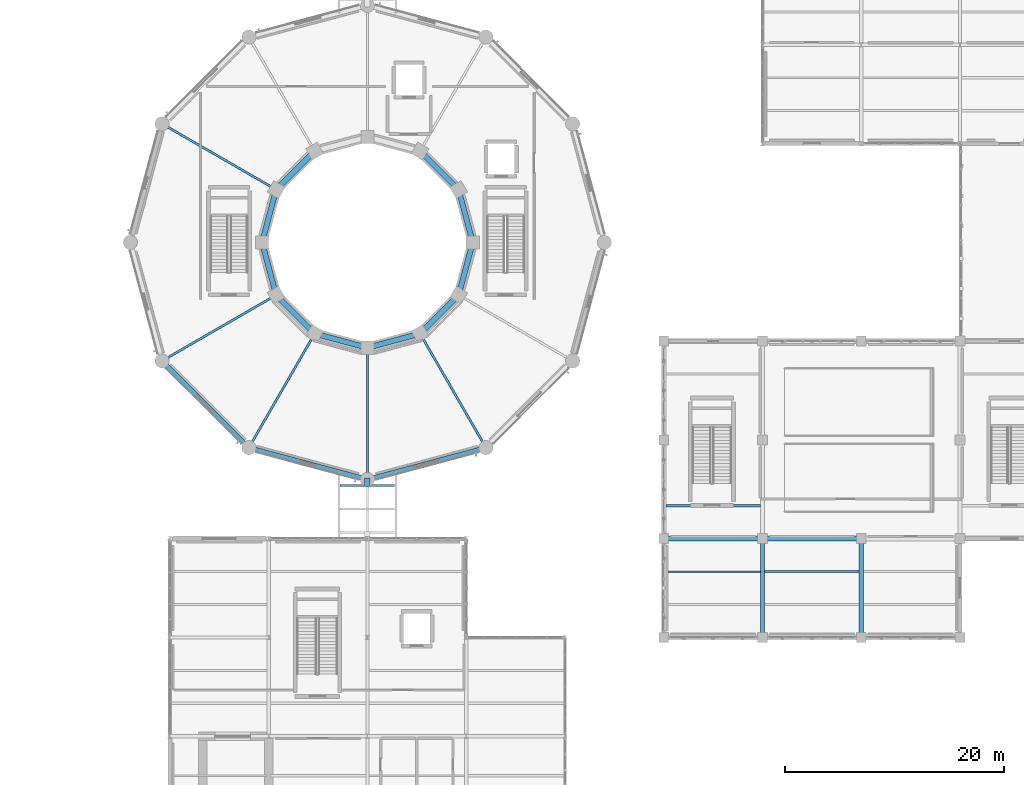
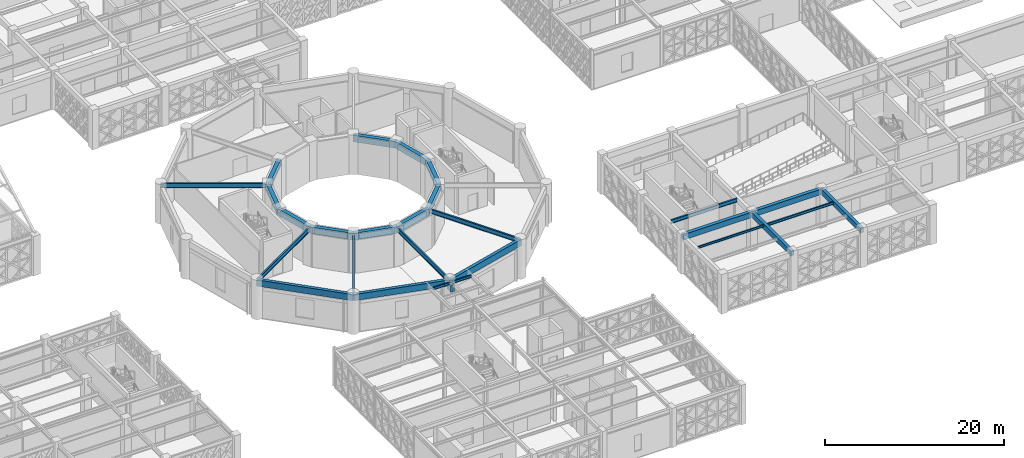
# One storey, part 48 of 166: 27 beams.
"""IFC4 building model written with IfcOpenShell, lengths in metres."""

from ifc_helpers import new_model, si_unit, direction, frame, origin, origin_2d, place, context, subcontext, project, spatial, rectangle, i_section, extrude, material, material_profile, profile_set, type_object, element, save


model = new_model("IFC4")

# Units and contexts
model_context = context("Model", 3, precision=1e-05, world=origin(), true_north=direction((0.0, 1.0)))
body_context = subcontext(model_context, "Body", "Model", "MODEL_VIEW")
ifc_project = project(units=[si_unit("LENGTHUNIT", "METRE"), si_unit("AREAUNIT", "SQUARE_METRE"), si_unit("VOLUMEUNIT", "CUBIC_METRE"), si_unit("PLANEANGLEUNIT", "RADIAN"), si_unit("MASSUNIT", "GRAM", prefix="KILO")], contexts=[model_context])

# Site, building, storey
site_placement = place(None, origin())
site = spatial("IfcSite", under=ifc_project, at=site_placement, CompositionType="ELEMENT")
building_placement = place(site_placement, origin())
building = spatial("IfcBuilding", under=site, at=building_placement, Name="Haizhuo Lancet Aquarium", CompositionType="ELEMENT")
storey_placement = place(building_placement, frame((0.0, 0.0, 5.39990234375)))
storey = spatial("IfcBuildingStorey", under=building, at=storey_placement, Name="L01", CompositionType="ELEMENT", Elevation=5.39990234375)

# Beams
ifc_material_1 = material(Name="Concrete C40/50", Category="concrete")
ifc_material_profile_1 = material_profile(ifc_material_1, rectangle(XDim=0.39990234375, YDim=0.699951171875, at=origin_2d()), Name="RC-BM 400x700")
ifc_profile_set_1 = profile_set([ifc_material_profile_1], Name="Concrete C40/50")
beam_type_1 = type_object("IfcBeamType", Name="BM-RC-400x700", PredefinedType="BEAM", material=ifc_profile_set_1)
for number, where, z_axis, x_axis, name in (
    (1, (36.0, -36.0, 4.7900390625), (0.0, 1.0, 0.0), (-1.0, 0.0, 0.0), "L01 V3 primary girder BM-L01-V3-007"),
    (2, (45.0, -36.0, 4.7900390625), (0.0, 1.0, 0.0), (-1.0, 0.0, 0.0), "L01 V3 primary girder BM-L01-V3-013"),
):
    element("IfcBeam", number, at=place(storey_placement, frame(where, z_axis=z_axis, x_axis=x_axis)), inside=storey, type_object=beam_type_1, Name=name, PredefinedType="BEAM", context=body_context, shape_type="SweptSolid", body=[
        extrude(rectangle(XDim=0.39990234375, YDim=0.699951171875, at=origin_2d()), origin(), (0.0, 0.0, 1.0), 9.0),
    ])
ifc_material_profile_2 = material_profile(ifc_material_1, rectangle(XDim=0.449951171875, YDim=0.75, at=origin_2d()), Name="RC-BM 450x750")
ifc_profile_set_2 = profile_set([ifc_material_profile_2], Name="Concrete C40/50")
beam_type_2 = type_object("IfcBeamType", Name="BM-RC-450x750", PredefinedType="BEAM", material=ifc_profile_set_2)
for number, where, z_axis, x_axis, name in (
    (3, (27.0, -27.0, 4.76513671875), (1.0, 0.0, 0.0), (0.0, 1.0, 0.0), "L01 V3 primary girder BM-L01-V3-004"),
    (4, (36.0, -27.0, 4.76513671875), (1.0, 0.0, 0.0), (0.0, 1.0, 0.0), "L01 V3 primary girder BM-L01-V3-010"),
):
    element("IfcBeam", number, at=place(storey_placement, frame(where, z_axis=z_axis, x_axis=x_axis)), inside=storey, type_object=beam_type_2, Name=name, PredefinedType="BEAM", context=body_context, shape_type="SweptSolid", body=[
        extrude(rectangle(XDim=0.449951171875, YDim=0.75, at=origin_2d()), origin(), (0.0, 0.0, 1.0), 9.0),
    ])
ifc_material_profile_3 = material_profile(ifc_material_1, rectangle(XDim=0.5, YDim=0.89990234375, at=origin_2d()), Name="RC-BM 500x900")
ifc_profile_set_3 = profile_set([ifc_material_profile_3], Name="Concrete C40/50")
beam_type_3 = type_object("IfcBeamType", Name="BM-RC-500x900", PredefinedType="BEAM", material=ifc_profile_set_3)
for number, where, z_axis, x_axis, name in (
    (5, (9.60009765625, 0.0, 4.690185546875), (-0.258812211902, 0.965927657214, 0.0), (-0.965927657214, -0.258812211902, 0.0), "L01 tank ring beam 1"),
    (6, (8.31396484375, 4.800048828125, 4.690185546875), (-0.707106781187, 0.707106781187, 0.0), (-0.707106781187, -0.707106781187, 0.0), "L01 tank ring beam 2"),
    (7, (-4.800048828125, 8.31396484375, 4.690185546875), (-0.707106781187, -0.707106781187, 0.0), (0.707106781187, -0.707106781187, 0.0), "L01 tank ring beam 5"),
    (8, (-8.31396484375, 4.800048828125, 4.690185546875), (-0.258812211902, -0.965927657214, 0.0), (0.965927657214, -0.258812211902, 0.0), "L01 tank ring beam 6"),
    (9, (-9.60009765625, 0.0, 4.690185546875), (0.258812211902, -0.965927657214, 0.0), (0.965927657214, 0.258812211902, 0.0), "L01 tank ring beam 7"),
    (10, (-8.31396484375, -4.800048828125, 4.690185546875), (0.707106781187, -0.707106781187, 0.0), (0.707106781187, 0.707106781187, 0.0), "L01 tank ring beam 8"),
    (11, (-4.800048828125, -8.31396484375, 4.690185546875), (0.965927657214, -0.258812211902, 0.0), (0.258812211902, 0.965927657214, 0.0), "L01 tank ring beam 9"),
    (12, (0.0, -9.60009765625, 4.690185546875), (0.965927657214, 0.258812211902, 0.0), (-0.258812211902, 0.965927657214, 0.0), "L01 tank ring beam 10"),
    (13, (4.800048828125, -8.31396484375, 4.690185546875), (0.707106781187, 0.707106781187, 0.0), (-0.707106781187, 0.707106781187, 0.0), "L01 tank ring beam 11"),
    (14, (8.31396484375, -4.800048828125, 4.690185546875), (0.258812211902, 0.965927657214, 0.0), (-0.965927657214, 0.258812211902, 0.0), "L01 tank ring beam 12"),
):
    element("IfcBeam", number, at=place(storey_placement, frame(where, z_axis=z_axis, x_axis=x_axis)), inside=storey, type_object=beam_type_3, Name=name, PredefinedType="BEAM", context=body_context, shape_type="SweptSolid", body=[
        extrude(rectangle(XDim=0.5, YDim=0.89990234375, at=origin_2d()), origin(), (0.0, 0.0, 1.0), 4.969482421875),
    ])
beam_1_placement = place(storey_placement, frame((0.0, -21.449951171875, 4.205078125), z_axis=(0.0, -1.0, 0.0), x_axis=(1.0, 0.0, 0.0)))
element("IfcBeam", 15, at=beam_1_placement, inside=storey, type_object=beam_type_3, Name="Reinforced concrete bridge bearing corbel SB-04 1N", PredefinedType="BEAM", context=body_context, shape_type="SweptSolid", body=[
    extrude(rectangle(XDim=0.5, YDim=0.89990234375, at=origin_2d()), origin(), (0.0, 0.0, 1.0), 0.800048828125),
])
ifc_material_2 = material(Name="Steel S355", Category="steel")
ifc_material_profile_4 = material_profile(ifc_material_2, i_section(OverallWidth=0.199951171875, OverallDepth=0.60009765625, WebThickness=0.010986328125, FlangeThickness=0.01708984375, FilletRadius=0.02197265625, at=origin_2d()), Name="HN 600x200x11x17")
ifc_profile_set_4 = profile_set([ifc_material_profile_4], Name="Steel S355")
beam_type_4 = type_object("IfcBeamType", Name="BM-ST-HN600", PredefinedType="BEAM", material=ifc_profile_set_4)
for number, where, z_axis, x_axis, name in (
    (16, (-8.31396484375, 4.800048828125, 4.840087890625), (-0.866020924479, 0.500007758305, 0.0), (-0.500007758305, -0.866020924479, 0.0), "L01 radial gallery girder 6"),
    (17, (-8.31396484375, -4.800048828125, 4.840087890625), (-0.866020924479, -0.500007758305, 0.0), (0.500007758305, -0.866020924479, 0.0), "L01 radial gallery girder 8"),
    (18, (-4.800048828125, -8.31396484375, 4.840087890625), (-0.500007758305, -0.866020924479, 0.0), (0.866020924479, -0.500007758305, 0.0), "L01 radial gallery girder 9"),
):
    element("IfcBeam", number, at=place(storey_placement, frame(where, z_axis=z_axis, x_axis=x_axis)), inside=storey, type_object=beam_type_4, Name=name, PredefinedType="BEAM", context=body_context, shape_type="SweptSolid", body=[
        extrude(i_section(OverallWidth=0.199951171875, OverallDepth=0.60009765625, WebThickness=0.010986328125, FlangeThickness=0.01708984375, FilletRadius=0.02197265625, at=origin_2d()), origin(), (0.0, 0.0, 1.0), 11.999755859375),
    ])
beam_2_placement = place(storey_placement, frame((0.0, -9.60009765625, 4.840087890625), z_axis=(0.0, -1.0, 0.0), x_axis=(1.0, 0.0, 0.0)))
element("IfcBeam", 19, at=beam_2_placement, inside=storey, type_object=beam_type_4, Name="L01 radial gallery girder 10", PredefinedType="BEAM", context=body_context, shape_type="SweptSolid", body=[
    extrude(i_section(OverallWidth=0.199951171875, OverallDepth=0.60009765625, WebThickness=0.010986328125, FlangeThickness=0.01708984375, FilletRadius=0.02197265625, at=origin_2d()), origin(), (0.0, 0.0, 1.0), 12.0),
])
beam_3_placement = place(storey_placement, frame((4.800048828125, -8.31396484375, 4.840087890625), z_axis=(0.500007758305, -0.866020924479, 0.0), x_axis=(0.866020924479, 0.500007758305, 0.0)))
element("IfcBeam", 20, at=beam_3_placement, inside=storey, type_object=beam_type_4, Name="L01 radial gallery girder 11", PredefinedType="BEAM", context=body_context, shape_type="SweptSolid", body=[
    extrude(i_section(OverallWidth=0.199951171875, OverallDepth=0.60009765625, WebThickness=0.010986328125, FlangeThickness=0.01708984375, FilletRadius=0.02197265625, at=origin_2d()), origin(), (0.0, 0.0, 1.0), 11.999755859375),
])
ifc_material_profile_5 = material_profile(ifc_material_2, i_section(OverallWidth=0.14990234375, OverallDepth=0.300048828125, WebThickness=0.006591796875, FlangeThickness=0.009033203125, FilletRadius=0.012939453125, at=origin_2d()), Name="HN 300x150x6.5x9")
ifc_profile_set_5 = profile_set([ifc_material_profile_5], Name="Steel S355")
beam_type_5 = type_object("IfcBeamType", Name="JST-ST-HN300", PredefinedType="JOIST", material=ifc_profile_set_5)
beam_4_placement = place(storey_placement, frame((27.199951171875, -30.0, 4.989990234375), z_axis=(1.0, 0.0, 0.0), x_axis=(0.0, 1.0, 0.0)))
element("IfcBeam", 21, at=beam_4_placement, inside=storey, type_object=beam_type_5, Name="L01 V3 secondary floor joist 2", PredefinedType="JOIST", context=body_context, shape_type="SweptSolid", body=[
    extrude(i_section(OverallWidth=0.14990234375, OverallDepth=0.300048828125, WebThickness=0.006591796875, FlangeThickness=0.009033203125, FilletRadius=0.012939453125, at=origin_2d()), origin(), (0.0, 0.0, 1.0), 8.60009765625),
])
ifc_material_profile_6 = material_profile(ifc_material_2, i_section(OverallWidth=0.175048828125, OverallDepth=0.35009765625, WebThickness=0.007080078125, FlangeThickness=0.010986328125, FilletRadius=0.013916015625, at=origin_2d()), Name="HN 350x175x7x11")
ifc_profile_set_6 = profile_set([ifc_material_profile_6], Name="Steel S355")
beam_type_6 = type_object("IfcBeamType", Name="JST-ST-HN350", PredefinedType="JOIST", material=ifc_profile_set_6)
beam_5_placement = place(storey_placement, frame((36.199951171875, -30.0, 4.965087890625), z_axis=(1.0, 0.0, 0.0), x_axis=(0.0, 1.0, 0.0)))
element("IfcBeam", 22, at=beam_5_placement, inside=storey, type_object=beam_type_6, Name="L01 V3 secondary floor joist 6", PredefinedType="JOIST", context=body_context, shape_type="SweptSolid", body=[
    extrude(i_section(OverallWidth=0.175048828125, OverallDepth=0.35009765625, WebThickness=0.007080078125, FlangeThickness=0.010986328125, FilletRadius=0.013916015625, at=origin_2d()), origin(), (0.0, 0.0, 1.0), 8.60009765625),
])
beam_6_placement = place(storey_placement, frame((-2.489990234375, -22.14990234375, 5.005126953125), z_axis=(1.0, 0.0, 0.0), x_axis=(0.0, 1.0, 0.0)))
element("IfcBeam", 23, at=beam_6_placement, inside=storey, type_object=beam_type_6, Name="Glazed bridge floor cross joist SB-04 N", PredefinedType="JOIST", context=body_context, shape_type="SweptSolid", body=[
    extrude(i_section(OverallWidth=0.175048828125, OverallDepth=0.35009765625, WebThickness=0.007080078125, FlangeThickness=0.010986328125, FilletRadius=0.013916015625, at=origin_2d()), origin(), (0.0, 0.0, 1.0), 4.97998046875),
])
ifc_material_profile_7 = material_profile(ifc_material_2, i_section(OverallWidth=0.199951171875, OverallDepth=0.5, WebThickness=0.010009765625, FlangeThickness=0.01611328125, FilletRadius=0.02001953125, at=origin_2d()), Name="HN 500x200x10x16")
ifc_profile_set_7 = profile_set([ifc_material_profile_7], Name="Steel S355")
beam_type_7 = type_object("IfcBeamType", Name="JST-ST-HN500", PredefinedType="JOIST", material=ifc_profile_set_7)
beam_7_placement = place(storey_placement, frame((27.199951171875, -24.0, 4.89013671875), z_axis=(1.0, 0.0, 0.0), x_axis=(0.0, 1.0, 0.0)))
element("IfcBeam", 24, at=beam_7_placement, inside=storey, type_object=beam_type_7, Name="L01 V3 secondary floor joist 3", PredefinedType="JOIST", context=body_context, shape_type="SweptSolid", body=[
    extrude(i_section(OverallWidth=0.199951171875, OverallDepth=0.5, WebThickness=0.010009765625, FlangeThickness=0.01611328125, FilletRadius=0.02001953125, at=origin_2d()), origin(), (0.0, 0.0, 1.0), 8.60009765625),
])
ifc_material_profile_8 = material_profile(ifc_material_1, rectangle(XDim=0.39990234375, YDim=0.85009765625, at=origin_2d()), Name="RC-SP 400x850")
ifc_profile_set_8 = profile_set([ifc_material_profile_8], Name="Concrete C40/50")
beam_type_8 = type_object("IfcBeamType", Name="SPN-RC-400x850", PredefinedType="SPANDREL", material=ifc_profile_set_8)
beam_8_placement = place(storey_placement, frame((-18.7060546875, -10.800048828125, 4.715087890625), z_axis=(0.707106781187, -0.707106781187, 0.0), x_axis=(0.707106781187, 0.707106781187, 0.0)))
element("IfcBeam", 25, at=beam_8_placement, inside=storey, type_object=beam_type_8, Name="L01 drum perimeter spandrel 8", PredefinedType="SPANDREL", context=body_context, shape_type="SweptSolid", body=[
    extrude(rectangle(XDim=0.39990234375, YDim=0.85009765625, at=origin_2d()), origin(), (0.0, 0.0, 1.0), 11.1806640625),
])
for number, where, z_axis, x_axis, name in (
    (26, (-10.800048828125, -18.7060546875, 4.715087890625), (0.965921832664, -0.258833949056, 0.0), (0.258833949056, 0.965921832664, 0.0), "L01 drum perimeter spandrel 9"),
    (27, (0.0, -21.60009765625, 4.715087890625), (0.965921832664, 0.258833949056, 0.0), (-0.258833949056, 0.965921832664, 0.0), "L01 drum perimeter spandrel 10"),
):
    element("IfcBeam", number, at=place(storey_placement, frame(where, z_axis=z_axis, x_axis=x_axis)), inside=storey, type_object=beam_type_8, Name=name, PredefinedType="SPANDREL", context=body_context, shape_type="SweptSolid", body=[
        extrude(rectangle(XDim=0.39990234375, YDim=0.85009765625, at=origin_2d()), origin(), (0.0, 0.0, 1.0), 11.18115234375),
    ])

save(model, "model.ifc")
